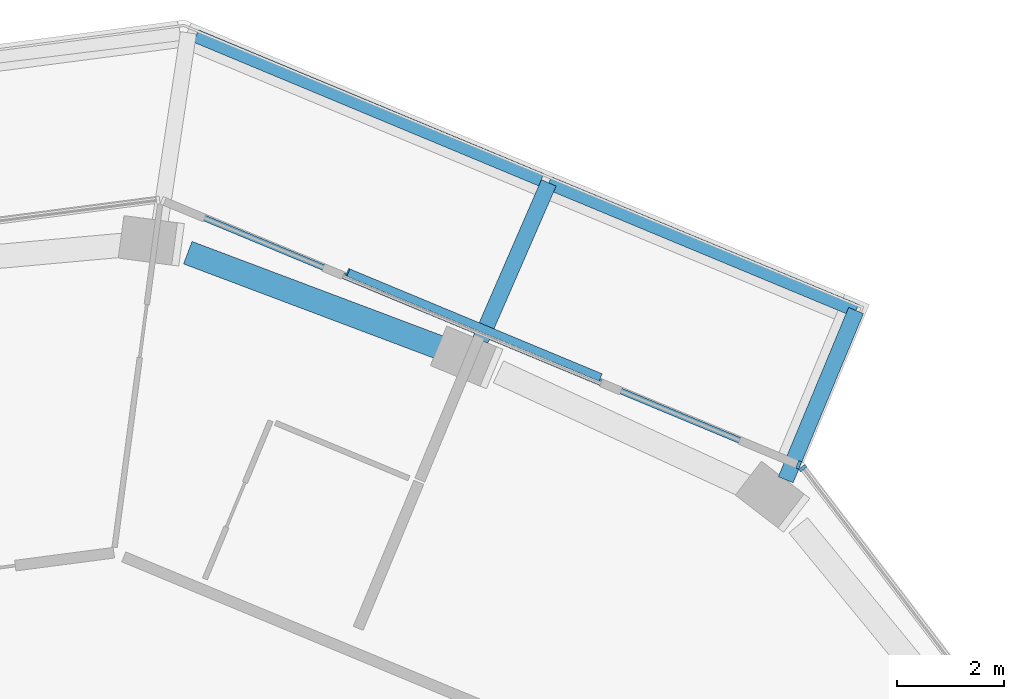
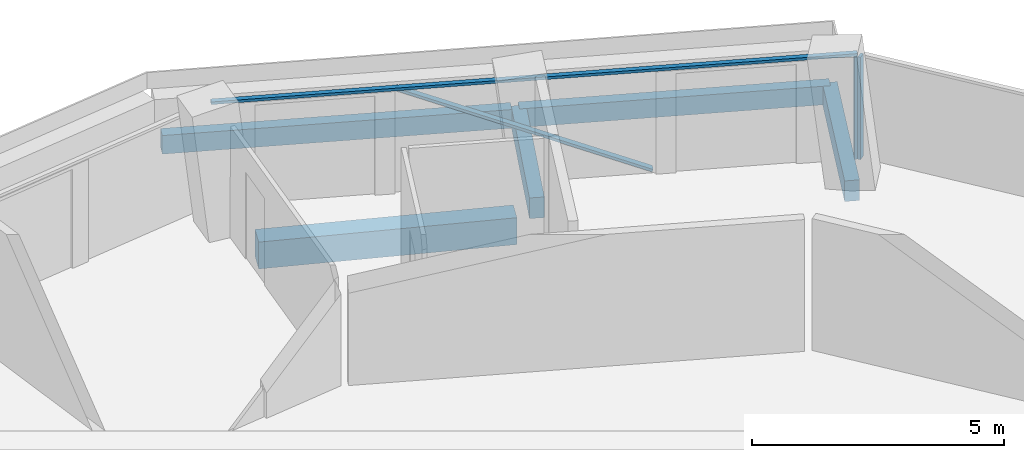
# One storey, part 10 of 25: 5 beams, 4 members, 2 elements without a shape of their own.
"""IFC4 building model written with IfcOpenShell, lengths in metres."""

from ifc_helpers import new_model, si_unit, direction, frame, origin, origin_2d, place, context, subcontext, project, spatial, rectangle, extrude, material, layer, layer_set, material_profile, profile_set, type_object, element, aggregate, save


model = new_model("IFC4")

# Units and contexts
model_context = context("Model", 3, precision=1e-05, world=origin(), true_north=direction((0.0, 1.0)))
body_context = subcontext(model_context, "Body", "Model", "MODEL_VIEW")
ifc_project = project(units=[si_unit("LENGTHUNIT", "METRE"), si_unit("AREAUNIT", "SQUARE_METRE"), si_unit("VOLUMEUNIT", "CUBIC_METRE"), si_unit("PLANEANGLEUNIT", "RADIAN"), si_unit("MASSUNIT", "GRAM", prefix="KILO")], contexts=[model_context])

# Site, building, storey
site_placement = place(None, origin())
site = spatial("IfcSite", under=ifc_project, at=site_placement, CompositionType="ELEMENT")
building_placement = place(site_placement, origin())
building = spatial("IfcBuilding", under=site, at=building_placement, Name="Verdalira Terraces Hotel", CompositionType="ELEMENT")
storey_placement = place(building_placement, frame((0.0, 0.0, 187.0)))
storey = spatial("IfcBuildingStorey", under=building, at=storey_placement, Name="L45", CompositionType="ELEMENT", Elevation=187.0)

# Beams
ifc_material_1 = material(Name="Concrete C40", Category="concrete")
ifc_material_profile_1 = material_profile(ifc_material_1, rectangle(XDim=0.300049, YDim=0.5, at=origin_2d()), Name="RC 300X500")
ifc_profile_set_1 = profile_set([ifc_material_profile_1], Name="Concrete C40")
beam_type_1 = type_object("IfcBeamType", Name="Balcony cantilever beam RC 300X500 C40", PredefinedType="BEAM", material=ifc_profile_set_1)
beam_1_placement = place(storey_placement, frame((14.973389, 19.589111, -0.560059), z_axis=(0.38365311, 0.923477282, 0.0), x_axis=(-0.923477282, 0.38365311, 0.0)))
element("IfcBeam", 1, at=beam_1_placement, inside=storey, type_object=beam_type_1, Name="Balcony cantilever beam R40-1", PredefinedType="BEAM", context=body_context, shape_type="SweptSolid", body=[
    extrude(rectangle(XDim=0.300049, YDim=0.5, at=origin_2d()), origin(), (0.0, 0.0, 1.0), 3.423584),
])
beam_2_placement = place(storey_placement, frame((9.268555, 22.200928, -0.560059), z_axis=(0.399049602, 0.916929341, 0.0), x_axis=(-0.916929341, 0.399049602, 0.0)))
element("IfcBeam", 2, at=beam_2_placement, inside=storey, type_object=beam_type_1, Name="Balcony cantilever beam R40-2", PredefinedType="BEAM", context=body_context, shape_type="SweptSolid", body=[
    extrude(rectangle(XDim=0.300049, YDim=0.5, at=origin_2d()), origin(), (0.0, 0.0, 1.0), 3.200928),
])
ifc_material_2 = material(Name="Concrete C40", Category="concrete")
ifc_material_profile_2 = material_profile(ifc_material_2, rectangle(XDim=0.25, YDim=0.449951, at=origin_2d()), Name="RC 250X450")
ifc_profile_set_2 = profile_set([ifc_material_profile_2], Name="Concrete C40")
beam_type_2 = type_object("IfcBeamType", Name="Balcony edge beam RC 250X450 C40", PredefinedType="BEAM", material=ifc_profile_set_2)
beam_3_placement = place(storey_placement, frame((16.286865, 22.750732, -0.534912), z_axis=(-0.923465678, 0.383681041, 0.0), x_axis=(-0.383681041, -0.923465678, 0.0)))
element("IfcBeam", 3, at=beam_3_placement, inside=storey, type_object=beam_type_2, Name="Balcony edge beam R40-1", PredefinedType="BEAM", context=body_context, shape_type="SweptSolid", body=[
    extrude(rectangle(XDim=0.25, YDim=0.449951, at=origin_2d()), origin(), (0.0, 0.0, 1.0), 6.216797),
])
beam_4_placement = place(storey_placement, frame((10.407227, 25.193604, -0.534912), z_axis=(-0.92317299, 0.384384744, 0.0), x_axis=(-0.384384744, -0.92317299, 0.0)))
element("IfcBeam", 4, at=beam_4_placement, inside=storey, type_object=beam_type_2, Name="Balcony edge beam R40-2", PredefinedType="BEAM", context=body_context, shape_type="SweptSolid", body=[
    extrude(rectangle(XDim=0.25, YDim=0.449951, at=origin_2d()), origin(), (0.0, 0.0, 1.0), 6.990479),
])

# Curtain wall, member
ifc_material_3 = material(Name="Clear glass", Category="glass")
ifc_layer = layer(ifc_material_3, 0.14990234375)
ifc_layer_set = layer_set([ifc_layer], Name="CW1 curtain wall")
curtain_wall_type = type_object("IfcCurtainWallType", Name="CW1 curtain wall", PredefinedType="NOTDEFINED", material=ifc_layer_set)
curtain_wall_1_placement = place(storey_placement, origin())
curtain_wall_1 = element("IfcCurtainWall", 5, at=curtain_wall_1_placement, inside=storey, type_object=curtain_wall_type, Name="CW1 curtain wall L45 edge 39", PredefinedType="NOTDEFINED")
ifc_material_4 = material(Name="Terracotta frame", Category="masonry")
ifc_material_profile_3 = material_profile(ifc_material_4, rectangle(XDim=0.060059, YDim=0.149902, at=origin_2d()), Name="MU 60x150")
ifc_profile_set_3 = profile_set([ifc_material_profile_3], Name="Terracotta frame")
member_type_1 = type_object("IfcMemberType", Name="CW1 mullion 60x150", PredefinedType="MULLION", material=ifc_profile_set_3)
member_1_placement = place(storey_placement, frame((15.29248, 19.806885, 0.0), z_axis=(0.0, 0.0, 1.0), x_axis=(-0.607930298, 0.793990399, 0.0)))
member_1 = element("IfcMember", 6, at=member_1_placement, type_object=member_type_1, Name="CW1 mullion", PredefinedType="MULLION", context=body_context, shape_type="SweptSolid", body=[
    extrude(rectangle(XDim=0.060059, YDim=0.149902, at=origin_2d()), origin(), (0.0, 0.0, 1.0), 2.475098),
])
aggregate(curtain_wall_1, [member_1])

# Curtain wall, members
curtain_wall_2_placement = place(storey_placement, origin())
curtain_wall_2 = element("IfcCurtainWall", 7, at=curtain_wall_2_placement, inside=storey, type_object=curtain_wall_type, Name="CW1 curtain wall L45 edge 40", PredefinedType="NOTDEFINED")
member_2_placement = place(storey_placement, frame((15.21582, 19.865967, 0.0), z_axis=(0.0, 0.0, 1.0), x_axis=(-0.923478281, 0.383650707, 0.0)))
member_2 = element("IfcMember", 8, at=member_2_placement, type_object=member_type_1, Name="CW1 mullion", PredefinedType="MULLION", context=body_context, shape_type="SweptSolid", body=[
    extrude(rectangle(XDim=0.060059, YDim=0.149902, at=origin_2d()), origin(), (0.0, 0.0, 1.0), 2.475098),
])
ifc_material_5 = material(Name="Terracotta frame", Category="masonry")
ifc_material_profile_4 = material_profile(ifc_material_5, rectangle(XDim=0.110107, YDim=0.064941, at=origin_2d()), Name="TR 65x110")
ifc_profile_set_4 = profile_set([ifc_material_profile_4], Name="Terracotta frame")
member_type_2 = type_object("IfcMemberType", Name="CW1 transom 65x110", PredefinedType="USERDEFINED", material=ifc_profile_set_4)
member_3_placement = place(storey_placement, frame((15.243408, 19.854492, 2.507568), z_axis=(-0.923479516, 0.383647734, 0.0), x_axis=(-0.383647734, -0.923479516, 0.0)))
member_3 = element("IfcMember", 9, at=member_3_placement, type_object=member_type_2, Name="CW1 transom", ObjectType="TRANSOM", PredefinedType="USERDEFINED", context=body_context, shape_type="SweptSolid", body=[
    extrude(rectangle(XDim=0.110107, YDim=0.064941, at=origin_2d()), origin(), (0.0, 0.0, 1.0), 12.919434),
])
ifc_material_6 = material(Name="Terracotta frame", Category="masonry")
ifc_material_profile_5 = material_profile(ifc_material_6, rectangle(XDim=0.149902, YDim=0.060059, at=origin_2d()), Name="GB 60x150")
ifc_profile_set_5 = profile_set([ifc_material_profile_5], Name="Terracotta frame")
member_type_3 = type_object("IfcMemberType", Name="Diagonal glazing bar 60x150", PredefinedType="USERDEFINED", material=ifc_profile_set_5)
member_4_placement = place(storey_placement, frame((11.503906, 21.504395, 0.028076), z_axis=(-0.834548217, 0.346705693, 0.428164029), x_axis=(-0.383650874, -0.923478211, 0.0)))
member_4 = element("IfcMember", 10, at=member_4_placement, type_object=member_type_3, Name="Diagonal glazing bar", ObjectType="GLAZING BAR", PredefinedType="USERDEFINED", context=body_context, shape_type="SweptSolid", body=[
    extrude(rectangle(XDim=0.149902, YDim=0.060059, at=origin_2d()), origin(), (0.0, 0.0, 1.0), 5.649658),
])
aggregate(curtain_wall_2, [member_2, member_3, member_4])

# Beam
ifc_material_7 = material(Name="Concrete C50", Category="concrete")
ifc_material_profile_6 = material_profile(ifc_material_7, rectangle(XDim=0.449951, YDim=0.649902, at=origin_2d()), Name="RC 450X650")
ifc_profile_set_6 = profile_set([ifc_material_profile_6], Name="Concrete C50")
beam_type_3 = type_object("IfcBeamType", Name="Spandrel beam RC 450X650 C50", PredefinedType="SPANDREL", material=ifc_profile_set_6)
beam_5_placement = place(storey_placement, frame((8.656494, 22.00293, -0.63501), z_axis=(-0.935841059, 0.352422349, 0.0), x_axis=(-0.352422349, -0.935841059, 0.0)))
element("IfcBeam", 11, at=beam_5_placement, inside=storey, type_object=beam_type_3, Name="Spandrel beam B21", PredefinedType="SPANDREL", context=body_context, shape_type="SweptSolid", body=[
    extrude(rectangle(XDim=0.449951, YDim=0.649902, at=origin_2d()), origin(), (0.0, 0.0, 1.0), 5.189453),
])

save(model, "model.ifc")
